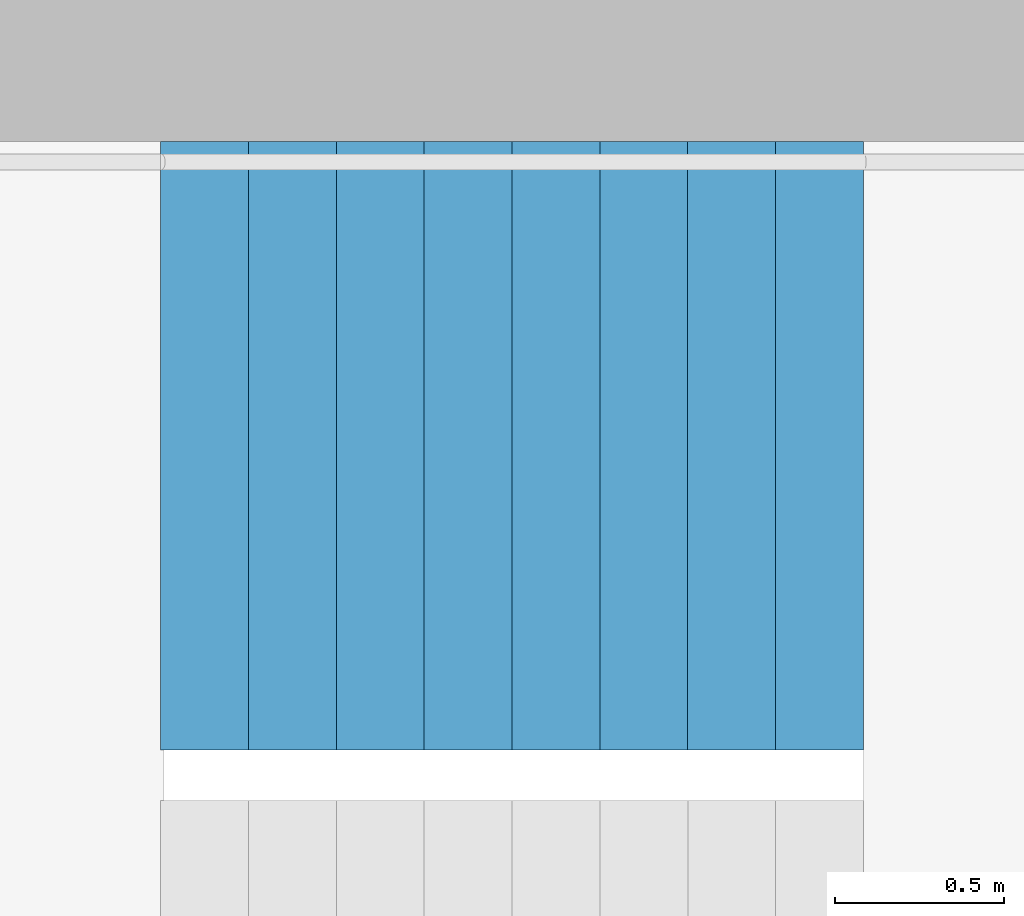
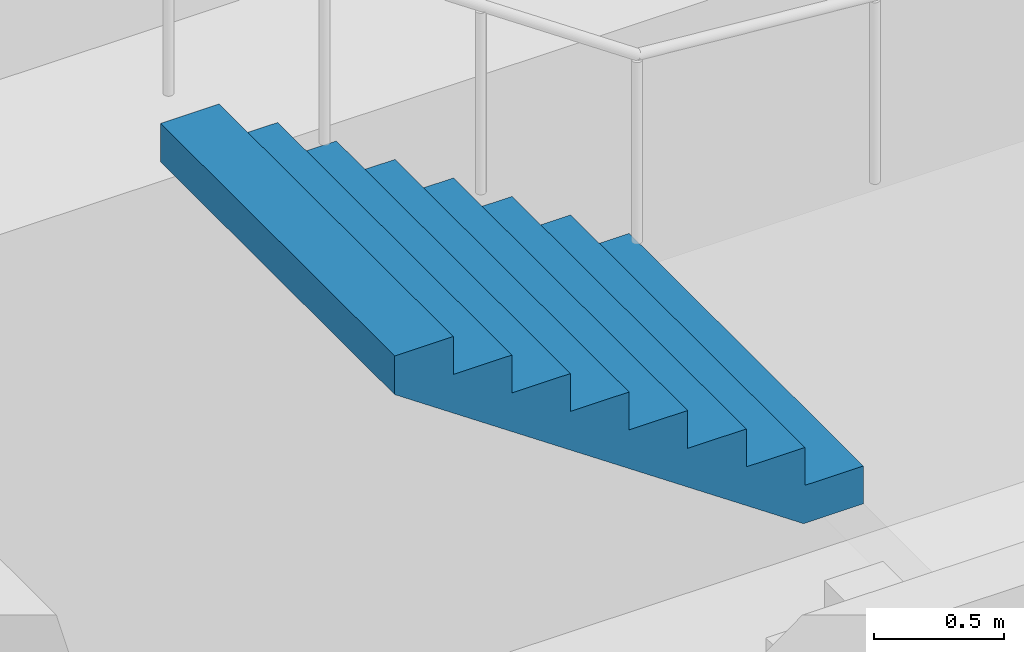
# One storey, part 22 of 27: 1 stair flight, 1 element without a shape of its own.
"""IFC4 building model written with IfcOpenShell, lengths in metres."""

from ifc_helpers import new_model, si_unit, direction, frame, origin, place, context, subcontext, project, spatial, triangles, material, type_object, element, aggregate, save


model = new_model("IFC4")

# Units and contexts
model_context = context("Model", 3, precision=1e-05, world=origin(), true_north=direction((0.0, 1.0)))
body_context = subcontext(model_context, "Body", "Model", "MODEL_VIEW")
ifc_project = project(units=[si_unit("LENGTHUNIT", "METRE"), si_unit("AREAUNIT", "SQUARE_METRE"), si_unit("VOLUMEUNIT", "CUBIC_METRE"), si_unit("PLANEANGLEUNIT", "RADIAN"), si_unit("MASSUNIT", "GRAM", prefix="KILO")], contexts=[model_context])

# Site, building, storey
site_placement = place(None, origin())
site = spatial("IfcSite", under=ifc_project, at=site_placement, CompositionType="ELEMENT")
building_placement = place(site_placement, origin())
building = spatial("IfcBuilding", under=site, at=building_placement, Name="Hakoniwa Tower and Hamabe Station Hall", CompositionType="ELEMENT")
storey_placement = place(building_placement, frame((0.0, 0.0, 242.199951171875)))
storey = spatial("IfcBuildingStorey", under=building, at=storey_placement, Name="L68", CompositionType="ELEMENT", Elevation=242.199951171875)

# Stair, stair flight
ifc_material_1 = material(Name="Concrete C40", Category="concrete")
stair_type = type_object("IfcStairType", Name="ESCAPE STAIR 1800", PredefinedType="HALF_TURN_STAIR", material=ifc_material_1)
stair_placement = place(storey_placement, origin())
stair = element("IfcStair", 1, at=stair_placement, inside=storey, type_object=stair_type, Name="Escape stair ST-1 L68", PredefinedType="HALF_TURN_STAIR")
ifc_material_2 = material(Name="Concrete C40", Category="concrete")
stair_flight_type = type_object("IfcStairFlightType", Name="STAIR FLIGHT 1800", PredefinedType="STRAIGHT", material=ifc_material_2)
stair_flight_placement = place(storey_placement, frame((-22.320068359375, 6.60009765625, 1.60009765625), z_axis=(0.0, 0.0, 1.0), x_axis=(-1.0, 0.0, 0.0)))
stair_flight = element("IfcStairFlight", 2, at=stair_flight_placement, type_object=stair_flight_type, Name="ST-1 flight 2", NumberOfRisers=9, NumberOfTreads=8, PredefinedType="STRAIGHT", RiserHeight=0.177777778, TreadLength=0.26, context=body_context, shape_type="Tessellation", body=[
    triangles([(0.0, 0.89990234375, 0.0), (0.260009765625, 0.89990234375, 0.0), (0.265625, 0.89990234375, 0.0), (0.52001953125, 0.89990234375, 0.174072265625), (0.780029296875, 0.89990234375, 0.351806640625), (1.0400390625, 0.89990234375, 0.529541015625), (1.300048828125, 0.89990234375, 0.707275390625), (1.56005859375, 0.89990234375, 0.885009765625), (1.820068359375, 0.89990234375, 1.062744140625), (2.080078125, 0.89990234375, 1.24072265625), (2.080078125, 0.89990234375, 1.422119140625), (1.820068359375, 0.89990234375, 1.422119140625), (1.820068359375, 0.89990234375, 1.244384765625), (1.56005859375, 0.89990234375, 1.244384765625), (1.56005859375, 0.89990234375, 1.066650390625), (1.300048828125, 0.89990234375, 1.066650390625), (1.300048828125, 0.89990234375, 0.888916015625), (1.0400390625, 0.89990234375, 0.888916015625), (1.0400390625, 0.89990234375, 0.711181640625), (0.780029296875, 0.89990234375, 0.711181640625), (0.780029296875, 0.89990234375, 0.533447265625), (0.52001953125, 0.89990234375, 0.533447265625), (0.52001953125, 0.89990234375, 0.35546875), (0.265625, 0.89990234375, 0.35546875), (0.260009765625, 0.89990234375, 0.35546875), (0.260009765625, 0.89990234375, 0.177734375), (0.0, 0.89990234375, 0.177734375), (0.0, 0.06005859375, 0.0), (0.260009765625, 0.06005859375, 0.0), (0.265625, 0.06005859375, 0.0), (0.52001953125, 0.06005859375, 0.174072265625), (0.780029296875, 0.06005859375, 0.351806640625), (1.0400390625, 0.06005859375, 0.529541015625), (1.300048828125, 0.06005859375, 0.707275390625), (1.56005859375, 0.06005859375, 0.885009765625), (1.820068359375, 0.06005859375, 1.062744140625), (2.080078125, 0.06005859375, 1.24072265625), (2.080078125, 0.06005859375, 1.422119140625), (1.820068359375, 0.06005859375, 1.422119140625), (1.820068359375, 0.06005859375, 1.244384765625), (1.56005859375, 0.06005859375, 1.244384765625), (1.56005859375, 0.06005859375, 1.066650390625), (1.300048828125, 0.06005859375, 1.066650390625), (1.300048828125, 0.06005859375, 0.888916015625), (1.0400390625, 0.06005859375, 0.888916015625), (1.0400390625, 0.06005859375, 0.711181640625), (0.780029296875, 0.06005859375, 0.711181640625), (0.780029296875, 0.06005859375, 0.533447265625), (0.52001953125, 0.06005859375, 0.533447265625), (0.52001953125, 0.06005859375, 0.35546875), (0.265625, 0.06005859375, 0.35546875), (0.260009765625, 0.06005859375, 0.35546875), (0.260009765625, 0.06005859375, 0.177734375), (0.0, 0.06005859375, 0.177734375), (0.0, 0.04296875, 0.0), (0.260009765625, 0.04296875, 0.0), (0.265625, 0.04296875, 0.0), (0.52001953125, 0.04296875, 0.174072265625), (0.780029296875, 0.04296875, 0.351806640625), (1.0400390625, 0.04296875, 0.529541015625), (1.300048828125, 0.04296875, 0.707275390625), (1.56005859375, 0.04296875, 0.885009765625), (1.820068359375, 0.04296875, 1.062744140625), (2.080078125, 0.04296875, 1.24072265625), (2.080078125, 0.04296875, 1.422119140625), (1.820068359375, 0.04296875, 1.422119140625), (1.820068359375, 0.04296875, 1.244384765625), (1.56005859375, 0.04296875, 1.244384765625), (1.56005859375, 0.04296875, 1.066650390625), (1.300048828125, 0.04296875, 1.066650390625), (1.300048828125, 0.04296875, 0.888916015625), (1.0400390625, 0.04296875, 0.888916015625), (1.0400390625, 0.04296875, 0.711181640625), (0.780029296875, 0.04296875, 0.711181640625), (0.780029296875, 0.04296875, 0.533447265625), (0.52001953125, 0.04296875, 0.533447265625), (0.52001953125, 0.04296875, 0.35546875), (0.265625, 0.04296875, 0.35546875), (0.260009765625, 0.04296875, 0.35546875), (0.260009765625, 0.04296875, 0.177734375), (0.0, 0.04296875, 0.177734375), (0.0, 0.025634765625, 0.0), (0.260009765625, 0.025634765625, 0.0), (0.265625, 0.025634765625, 0.0), (0.52001953125, 0.025634765625, 0.174072265625), (0.780029296875, 0.025634765625, 0.351806640625), (1.0400390625, 0.025634765625, 0.529541015625), (1.300048828125, 0.025634765625, 0.707275390625), (1.56005859375, 0.025634765625, 0.885009765625), (1.820068359375, 0.025634765625, 1.062744140625), (2.080078125, 0.025634765625, 1.24072265625), (2.080078125, 0.025634765625, 1.422119140625), (1.820068359375, 0.025634765625, 1.422119140625), (1.820068359375, 0.025634765625, 1.244384765625), (1.56005859375, 0.025634765625, 1.244384765625), (1.56005859375, 0.025634765625, 1.066650390625), (1.300048828125, 0.025634765625, 1.066650390625), (1.300048828125, 0.025634765625, 0.888916015625), (1.0400390625, 0.025634765625, 0.888916015625), (1.0400390625, 0.025634765625, 0.711181640625), (0.780029296875, 0.025634765625, 0.711181640625), (0.780029296875, 0.025634765625, 0.533447265625), (0.52001953125, 0.025634765625, 0.533447265625), (0.52001953125, 0.025634765625, 0.35546875), (0.265625, 0.025634765625, 0.35546875), (0.260009765625, 0.025634765625, 0.35546875), (0.260009765625, 0.025634765625, 0.177734375), (0.0, 0.025634765625, 0.177734375), (0.0, 0.008544921875, 0.0), (0.260009765625, 0.008544921875, 0.0), (0.265625, 0.008544921875, 0.0), (0.52001953125, 0.008544921875, 0.174072265625), (0.780029296875, 0.008544921875, 0.351806640625), (1.0400390625, 0.008544921875, 0.529541015625), (1.300048828125, 0.008544921875, 0.707275390625), (1.56005859375, 0.008544921875, 0.885009765625), (1.820068359375, 0.008544921875, 1.062744140625), (2.080078125, 0.008544921875, 1.24072265625), (2.080078125, 0.008544921875, 1.422119140625), (1.820068359375, 0.008544921875, 1.422119140625), (1.820068359375, 0.008544921875, 1.244384765625), (1.56005859375, 0.008544921875, 1.244384765625), (1.56005859375, 0.008544921875, 1.066650390625), (1.300048828125, 0.008544921875, 1.066650390625), (1.300048828125, 0.008544921875, 0.888916015625), (1.0400390625, 0.008544921875, 0.888916015625), (1.0400390625, 0.008544921875, 0.711181640625), (0.780029296875, 0.008544921875, 0.711181640625), (0.780029296875, 0.008544921875, 0.533447265625), (0.52001953125, 0.008544921875, 0.533447265625), (0.52001953125, 0.008544921875, 0.35546875), (0.265625, 0.008544921875, 0.35546875), (0.260009765625, 0.008544921875, 0.35546875), (0.260009765625, 0.008544921875, 0.177734375), (0.0, 0.008544921875, 0.177734375), (0.0, -0.008544921875, 0.0), (0.260009765625, -0.008544921875, 0.0), (0.265625, -0.008544921875, 0.0), (0.52001953125, -0.008544921875, 0.174072265625), (0.780029296875, -0.008544921875, 0.351806640625), (1.0400390625, -0.008544921875, 0.529541015625), (1.300048828125, -0.008544921875, 0.707275390625), (1.56005859375, -0.008544921875, 0.885009765625), (1.820068359375, -0.008544921875, 1.062744140625), (2.080078125, -0.008544921875, 1.24072265625), (2.080078125, -0.008544921875, 1.422119140625), (1.820068359375, -0.008544921875, 1.422119140625), (1.820068359375, -0.008544921875, 1.244384765625), (1.56005859375, -0.008544921875, 1.244384765625), (1.56005859375, -0.008544921875, 1.066650390625), (1.300048828125, -0.008544921875, 1.066650390625), (1.300048828125, -0.008544921875, 0.888916015625), (1.0400390625, -0.008544921875, 0.888916015625), (1.0400390625, -0.008544921875, 0.711181640625), (0.780029296875, -0.008544921875, 0.711181640625), (0.780029296875, -0.008544921875, 0.533447265625), (0.52001953125, -0.008544921875, 0.533447265625), (0.52001953125, -0.008544921875, 0.35546875), (0.265625, -0.008544921875, 0.35546875), (0.260009765625, -0.008544921875, 0.35546875), (0.260009765625, -0.008544921875, 0.177734375), (0.0, -0.008544921875, 0.177734375), (0.0, -0.025634765625, 0.0), (0.260009765625, -0.025634765625, 0.0), (0.265625, -0.025634765625, 0.0), (0.52001953125, -0.025634765625, 0.174072265625), (0.780029296875, -0.025634765625, 0.351806640625), (1.0400390625, -0.025634765625, 0.529541015625), (1.300048828125, -0.025634765625, 0.707275390625), (1.56005859375, -0.025634765625, 0.885009765625), (1.820068359375, -0.025634765625, 1.062744140625), (2.080078125, -0.025634765625, 1.24072265625), (2.080078125, -0.025634765625, 1.422119140625), (1.820068359375, -0.025634765625, 1.422119140625), (1.820068359375, -0.025634765625, 1.244384765625), (1.56005859375, -0.025634765625, 1.244384765625), (1.56005859375, -0.025634765625, 1.066650390625), (1.300048828125, -0.025634765625, 1.066650390625), (1.300048828125, -0.025634765625, 0.888916015625), (1.0400390625, -0.025634765625, 0.888916015625), (1.0400390625, -0.025634765625, 0.711181640625), (0.780029296875, -0.025634765625, 0.711181640625), (0.780029296875, -0.025634765625, 0.533447265625), (0.52001953125, -0.025634765625, 0.533447265625), (0.52001953125, -0.025634765625, 0.35546875), (0.265625, -0.025634765625, 0.35546875), (0.260009765625, -0.025634765625, 0.35546875), (0.260009765625, -0.025634765625, 0.177734375), (0.0, -0.025634765625, 0.177734375), (0.0, -0.04296875, 0.0), (0.260009765625, -0.04296875, 0.0), (0.265625, -0.04296875, 0.0), (0.52001953125, -0.04296875, 0.174072265625), (0.780029296875, -0.04296875, 0.351806640625), (1.0400390625, -0.04296875, 0.529541015625), (1.300048828125, -0.04296875, 0.707275390625), (1.56005859375, -0.04296875, 0.885009765625), (1.820068359375, -0.04296875, 1.062744140625), (2.080078125, -0.04296875, 1.24072265625), (2.080078125, -0.04296875, 1.422119140625), (1.820068359375, -0.04296875, 1.422119140625), (1.820068359375, -0.04296875, 1.244384765625), (1.56005859375, -0.04296875, 1.244384765625), (1.56005859375, -0.04296875, 1.066650390625), (1.300048828125, -0.04296875, 1.066650390625), (1.300048828125, -0.04296875, 0.888916015625), (1.0400390625, -0.04296875, 0.888916015625), (1.0400390625, -0.04296875, 0.711181640625), (0.780029296875, -0.04296875, 0.711181640625), (0.780029296875, -0.04296875, 0.533447265625), (0.52001953125, -0.04296875, 0.533447265625), (0.52001953125, -0.04296875, 0.35546875), (0.265625, -0.04296875, 0.35546875), (0.260009765625, -0.04296875, 0.35546875), (0.260009765625, -0.04296875, 0.177734375), (0.0, -0.04296875, 0.177734375), (0.0, -0.06005859375, 0.0), (0.260009765625, -0.06005859375, 0.0), (0.265625, -0.06005859375, 0.0), (0.52001953125, -0.06005859375, 0.174072265625), (0.780029296875, -0.06005859375, 0.351806640625), (1.0400390625, -0.06005859375, 0.529541015625), (1.300048828125, -0.06005859375, 0.707275390625), (1.56005859375, -0.06005859375, 0.885009765625), (1.820068359375, -0.06005859375, 1.062744140625), (2.080078125, -0.06005859375, 1.24072265625), (2.080078125, -0.06005859375, 1.422119140625), (1.820068359375, -0.06005859375, 1.422119140625), (1.820068359375, -0.06005859375, 1.244384765625), (1.56005859375, -0.06005859375, 1.244384765625), (1.56005859375, -0.06005859375, 1.066650390625), (1.300048828125, -0.06005859375, 1.066650390625), (1.300048828125, -0.06005859375, 0.888916015625), (1.0400390625, -0.06005859375, 0.888916015625), (1.0400390625, -0.06005859375, 0.711181640625), (0.780029296875, -0.06005859375, 0.711181640625), (0.780029296875, -0.06005859375, 0.533447265625), (0.52001953125, -0.06005859375, 0.533447265625), (0.52001953125, -0.06005859375, 0.35546875), (0.265625, -0.06005859375, 0.35546875), (0.260009765625, -0.06005859375, 0.35546875), (0.260009765625, -0.06005859375, 0.177734375), (0.0, -0.06005859375, 0.177734375), (0.0, -0.89990234375, 0.0), (0.260009765625, -0.89990234375, 0.0), (0.265625, -0.89990234375, 0.0), (0.52001953125, -0.89990234375, 0.174072265625), (0.780029296875, -0.89990234375, 0.351806640625), (1.0400390625, -0.89990234375, 0.529541015625), (1.300048828125, -0.89990234375, 0.707275390625), (1.56005859375, -0.89990234375, 0.885009765625), (1.820068359375, -0.89990234375, 1.062744140625), (2.080078125, -0.89990234375, 1.24072265625), (2.080078125, -0.89990234375, 1.422119140625), (1.820068359375, -0.89990234375, 1.422119140625), (1.820068359375, -0.89990234375, 1.244384765625), (1.56005859375, -0.89990234375, 1.244384765625), (1.56005859375, -0.89990234375, 1.066650390625), (1.300048828125, -0.89990234375, 1.066650390625), (1.300048828125, -0.89990234375, 0.888916015625), (1.0400390625, -0.89990234375, 0.888916015625), (1.0400390625, -0.89990234375, 0.711181640625), (0.780029296875, -0.89990234375, 0.711181640625), (0.780029296875, -0.89990234375, 0.533447265625), (0.52001953125, -0.89990234375, 0.533447265625), (0.52001953125, -0.89990234375, 0.35546875), (0.265625, -0.89990234375, 0.35546875), (0.260009765625, -0.89990234375, 0.35546875), (0.260009765625, -0.89990234375, 0.177734375), (0.0, -0.89990234375, 0.177734375)], [[2, 27, 26], [245, 269, 270], [2, 1, 27], [245, 270, 244], [3, 25, 24], [246, 267, 268], [3, 26, 25], [246, 268, 269], [3, 2, 26], [246, 269, 245], [4, 24, 23], [247, 266, 267], [4, 3, 24], [247, 267, 246], [5, 22, 21], [248, 264, 265], [5, 23, 22], [248, 265, 266], [5, 4, 23], [248, 266, 247], [6, 20, 19], [249, 262, 263], [6, 21, 20], [249, 263, 264], [6, 5, 21], [249, 264, 248], [7, 18, 17], [250, 260, 261], [7, 19, 18], [250, 261, 262], [7, 6, 19], [250, 262, 249], [8, 16, 15], [251, 258, 259], [8, 17, 16], [251, 259, 260], [8, 7, 17], [251, 260, 250], [9, 14, 13], [252, 256, 257], [9, 15, 14], [252, 257, 258], [9, 8, 15], [252, 258, 251], [10, 12, 11], [253, 254, 255], [10, 13, 12], [253, 255, 256], [10, 9, 13], [253, 256, 252], [1, 2, 29], [1, 29, 28], [28, 29, 56], [28, 56, 55], [55, 56, 83], [55, 83, 82], [82, 83, 110], [82, 110, 109], [109, 110, 137], [109, 137, 136], [136, 137, 164], [136, 164, 163], [163, 164, 191], [163, 191, 190], [190, 191, 218], [190, 218, 217], [217, 218, 245], [217, 245, 244], [2, 3, 30], [2, 30, 29], [29, 30, 57], [29, 57, 56], [56, 57, 84], [56, 84, 83], [83, 84, 111], [83, 111, 110], [110, 111, 138], [110, 138, 137], [137, 138, 165], [137, 165, 164], [164, 165, 192], [164, 192, 191], [191, 192, 219], [191, 219, 218], [218, 219, 246], [218, 246, 245], [3, 4, 31], [3, 31, 30], [30, 31, 58], [30, 58, 57], [57, 58, 85], [57, 85, 84], [84, 85, 112], [84, 112, 111], [111, 112, 139], [111, 139, 138], [138, 139, 166], [138, 166, 165], [165, 166, 193], [165, 193, 192], [192, 193, 220], [192, 220, 219], [219, 220, 247], [219, 247, 246], [4, 5, 32], [4, 32, 31], [31, 32, 59], [31, 59, 58], [58, 59, 86], [58, 86, 85], [85, 86, 113], [85, 113, 112], [112, 113, 140], [112, 140, 139], [139, 140, 167], [139, 167, 166], [166, 167, 194], [166, 194, 193], [193, 194, 221], [193, 221, 220], [220, 221, 248], [220, 248, 247], [5, 6, 33], [5, 33, 32], [32, 33, 60], [32, 60, 59], [59, 60, 87], [59, 87, 86], [86, 87, 114], [86, 114, 113], [113, 114, 141], [113, 141, 140], [140, 141, 168], [140, 168, 167], [167, 168, 195], [167, 195, 194], [194, 195, 222], [194, 222, 221], [221, 222, 249], [221, 249, 248], [6, 7, 34], [6, 34, 33], [33, 34, 61], [33, 61, 60], [60, 61, 88], [60, 88, 87], [87, 88, 115], [87, 115, 114], [114, 115, 142], [114, 142, 141], [141, 142, 169], [141, 169, 168], [168, 169, 196], [168, 196, 195], [195, 196, 223], [195, 223, 222], [222, 223, 250], [222, 250, 249], [7, 8, 35], [7, 35, 34], [34, 35, 62], [34, 62, 61], [61, 62, 89], [61, 89, 88], [88, 89, 116], [88, 116, 115], [115, 116, 143], [115, 143, 142], [142, 143, 170], [142, 170, 169], [169, 170, 197], [169, 197, 196], [196, 197, 224], [196, 224, 223], [223, 224, 251], [223, 251, 250], [8, 9, 36], [8, 36, 35], [35, 36, 63], [35, 63, 62], [62, 63, 90], [62, 90, 89], [89, 90, 117], [89, 117, 116], [116, 117, 144], [116, 144, 143], [143, 144, 171], [143, 171, 170], [170, 171, 198], [170, 198, 197], [197, 198, 225], [197, 225, 224], [224, 225, 252], [224, 252, 251], [9, 10, 37], [9, 37, 36], [36, 37, 64], [36, 64, 63], [63, 64, 91], [63, 91, 90], [90, 91, 118], [90, 118, 117], [117, 118, 145], [117, 145, 144], [144, 145, 172], [144, 172, 171], [171, 172, 199], [171, 199, 198], [198, 199, 226], [198, 226, 225], [225, 226, 253], [225, 253, 252], [10, 11, 38], [10, 38, 37], [37, 38, 65], [37, 65, 64], [64, 65, 92], [64, 92, 91], [91, 92, 119], [91, 119, 118], [118, 119, 146], [118, 146, 145], [145, 146, 173], [145, 173, 172], [172, 173, 200], [172, 200, 199], [199, 200, 227], [199, 227, 226], [226, 227, 254], [226, 254, 253], [11, 12, 39], [11, 39, 38], [38, 39, 66], [38, 66, 65], [65, 66, 93], [65, 93, 92], [92, 93, 120], [92, 120, 119], [119, 120, 147], [119, 147, 146], [146, 147, 174], [146, 174, 173], [173, 174, 201], [173, 201, 200], [200, 201, 228], [200, 228, 227], [227, 228, 255], [227, 255, 254], [12, 13, 40], [12, 40, 39], [39, 40, 67], [39, 67, 66], [66, 67, 94], [66, 94, 93], [93, 94, 121], [93, 121, 120], [120, 121, 148], [120, 148, 147], [147, 148, 175], [147, 175, 174], [174, 175, 202], [174, 202, 201], [201, 202, 229], [201, 229, 228], [228, 229, 256], [228, 256, 255], [13, 14, 41], [13, 41, 40], [40, 41, 68], [40, 68, 67], [67, 68, 95], [67, 95, 94], [94, 95, 122], [94, 122, 121], [121, 122, 149], [121, 149, 148], [148, 149, 176], [148, 176, 175], [175, 176, 203], [175, 203, 202], [202, 203, 230], [202, 230, 229], [229, 230, 257], [229, 257, 256], [14, 15, 42], [14, 42, 41], [41, 42, 69], [41, 69, 68], [68, 69, 96], [68, 96, 95], [95, 96, 123], [95, 123, 122], [122, 123, 150], [122, 150, 149], [149, 150, 177], [149, 177, 176], [176, 177, 204], [176, 204, 203], [203, 204, 231], [203, 231, 230], [230, 231, 258], [230, 258, 257], [15, 16, 43], [15, 43, 42], [42, 43, 70], [42, 70, 69], [69, 70, 97], [69, 97, 96], [96, 97, 124], [96, 124, 123], [123, 124, 151], [123, 151, 150], [150, 151, 178], [150, 178, 177], [177, 178, 205], [177, 205, 204], [204, 205, 232], [204, 232, 231], [231, 232, 259], [231, 259, 258], [16, 17, 44], [16, 44, 43], [43, 44, 71], [43, 71, 70], [70, 71, 98], [70, 98, 97], [97, 98, 125], [97, 125, 124], [124, 125, 152], [124, 152, 151], [151, 152, 179], [151, 179, 178], [178, 179, 206], [178, 206, 205], [205, 206, 233], [205, 233, 232], [232, 233, 260], [232, 260, 259], [17, 18, 45], [17, 45, 44], [44, 45, 72], [44, 72, 71], [71, 72, 99], [71, 99, 98], [98, 99, 126], [98, 126, 125], [125, 126, 153], [125, 153, 152], [152, 153, 180], [152, 180, 179], [179, 180, 207], [179, 207, 206], [206, 207, 234], [206, 234, 233], [233, 234, 261], [233, 261, 260], [18, 19, 46], [18, 46, 45], [45, 46, 73], [45, 73, 72], [72, 73, 100], [72, 100, 99], [99, 100, 127], [99, 127, 126], [126, 127, 154], [126, 154, 153], [153, 154, 181], [153, 181, 180], [180, 181, 208], [180, 208, 207], [207, 208, 235], [207, 235, 234], [234, 235, 262], [234, 262, 261], [19, 20, 47], [19, 47, 46], [46, 47, 74], [46, 74, 73], [73, 74, 101], [73, 101, 100], [100, 101, 128], [100, 128, 127], [127, 128, 155], [127, 155, 154], [154, 155, 182], [154, 182, 181], [181, 182, 209], [181, 209, 208], [208, 209, 236], [208, 236, 235], [235, 236, 263], [235, 263, 262], [20, 21, 48], [20, 48, 47], [47, 48, 75], [47, 75, 74], [74, 75, 102], [74, 102, 101], [101, 102, 129], [101, 129, 128], [128, 129, 156], [128, 156, 155], [155, 156, 183], [155, 183, 182], [182, 183, 210], [182, 210, 209], [209, 210, 237], [209, 237, 236], [236, 237, 264], [236, 264, 263], [21, 22, 49], [21, 49, 48], [48, 49, 76], [48, 76, 75], [75, 76, 103], [75, 103, 102], [102, 103, 130], [102, 130, 129], [129, 130, 157], [129, 157, 156], [156, 157, 184], [156, 184, 183], [183, 184, 211], [183, 211, 210], [210, 211, 238], [210, 238, 237], [237, 238, 265], [237, 265, 264], [22, 23, 50], [22, 50, 49], [49, 50, 77], [49, 77, 76], [76, 77, 104], [76, 104, 103], [103, 104, 131], [103, 131, 130], [130, 131, 158], [130, 158, 157], [157, 158, 185], [157, 185, 184], [184, 185, 212], [184, 212, 211], [211, 212, 239], [211, 239, 238], [238, 239, 266], [238, 266, 265], [23, 24, 51], [23, 51, 50], [50, 51, 78], [50, 78, 77], [77, 78, 105], [77, 105, 104], [104, 105, 132], [104, 132, 131], [131, 132, 159], [131, 159, 158], [158, 159, 186], [158, 186, 185], [185, 186, 213], [185, 213, 212], [212, 213, 240], [212, 240, 239], [239, 240, 267], [239, 267, 266], [24, 25, 52], [24, 52, 51], [51, 52, 79], [51, 79, 78], [78, 79, 106], [78, 106, 105], [105, 106, 133], [105, 133, 132], [132, 133, 160], [132, 160, 159], [159, 160, 187], [159, 187, 186], [186, 187, 214], [186, 214, 213], [213, 214, 241], [213, 241, 240], [240, 241, 268], [240, 268, 267], [25, 26, 53], [25, 53, 52], [52, 53, 80], [52, 80, 79], [79, 80, 107], [79, 107, 106], [106, 107, 134], [106, 134, 133], [133, 134, 161], [133, 161, 160], [160, 161, 188], [160, 188, 187], [187, 188, 215], [187, 215, 214], [214, 215, 242], [214, 242, 241], [241, 242, 269], [241, 269, 268], [26, 27, 54], [26, 54, 53], [53, 54, 81], [53, 81, 80], [80, 81, 108], [80, 108, 107], [107, 108, 135], [107, 135, 134], [134, 135, 162], [134, 162, 161], [161, 162, 189], [161, 189, 188], [188, 189, 216], [188, 216, 215], [215, 216, 243], [215, 243, 242], [242, 243, 270], [242, 270, 269], [27, 1, 28], [27, 28, 54], [54, 28, 55], [54, 55, 81], [81, 55, 82], [81, 82, 108], [108, 82, 109], [108, 109, 135], [135, 109, 136], [135, 136, 162], [162, 136, 163], [162, 163, 189], [189, 163, 190], [189, 190, 216], [216, 190, 217], [216, 217, 243], [243, 217, 244], [243, 244, 270]], closed=True),
])
aggregate(stair, [stair_flight])

save(model, "model.ifc")
